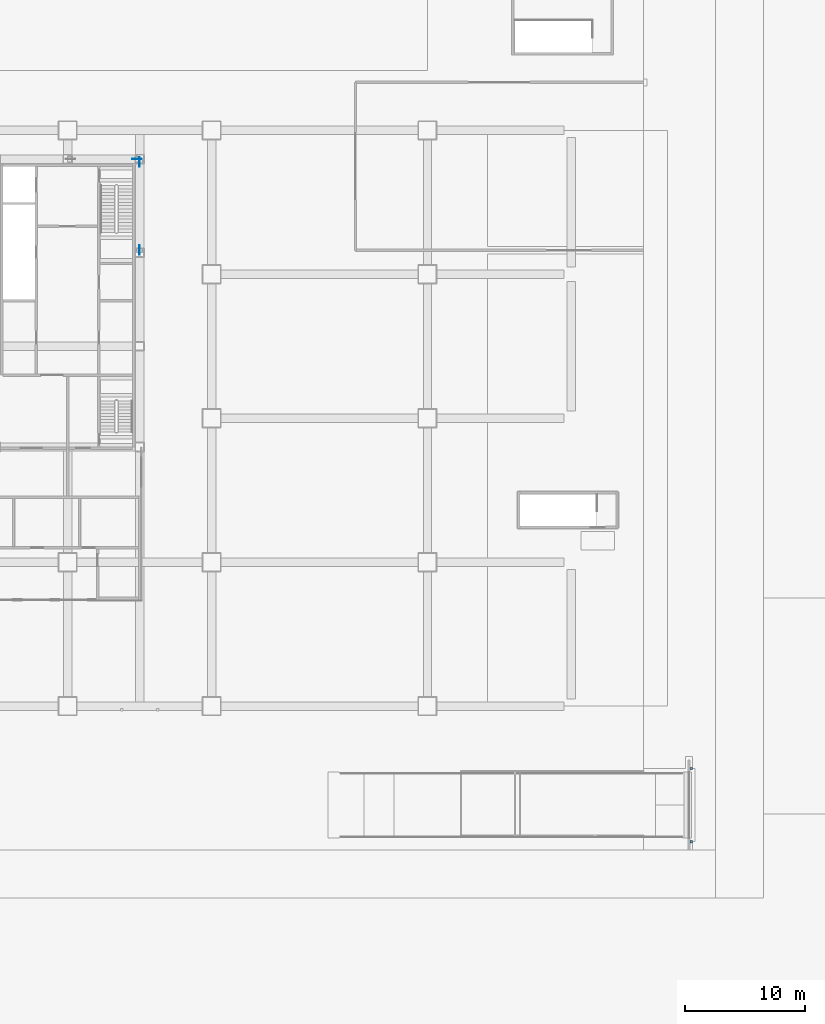
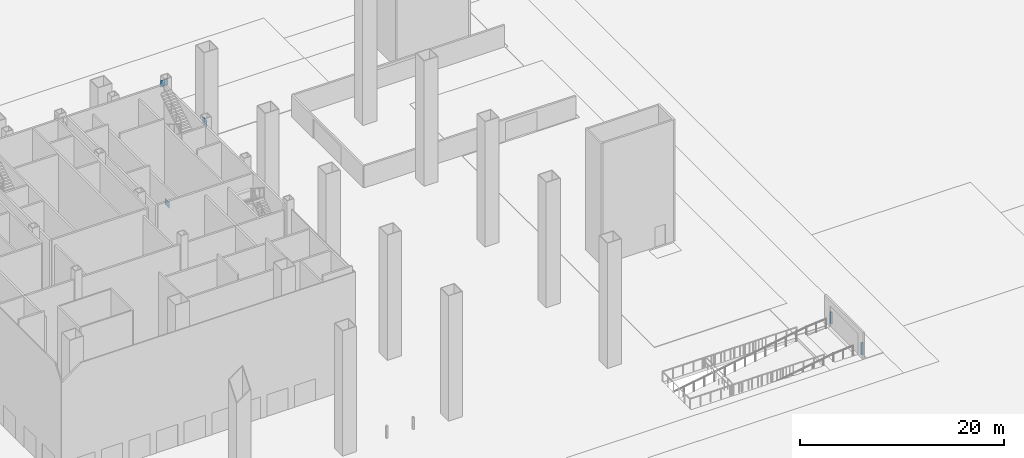
# One storey, part 15 of 22: 5 discrete accessories.
"""IFC4 building model written with IfcOpenShell, lengths in metres."""

import ifcopenshell
import ifcopenshell.guid

model = None  # the IFC model being written
_history = None  # IfcOwnerHistory: only IFC2X3 demands one
_inside = {}  # id of a spatial element -> (the spatial element, [elements in it])
_under = {}  # id of a project, library or spatial element -> (it, [spatial elements below it])
_declared = {}  # id of a project -> (the project, [libraries it declares])
_typed = {}  # id of a type object -> (the type object, [elements of that type])
_made_of = {}  # id of a material, layer set ... -> (it, [elements and type objects made of it])


def new_model(schema):
    """Start an empty IFC model of exactly this schema.

    Asked for "IFC4X3", IfcOpenShell would pick the latest addendum, in which some entities
    have other attributes; the version numbers below select the first issue.
    IFC2X3 requires an IfcOwnerHistory on every rooted entity: one is made here for all.
    """
    global model, _history
    if schema == "IFC4X3":
        model = ifcopenshell.file(schema_version=(4, 3, 0, 0))
    else:
        model = ifcopenshell.file(schema=schema)
    _inside.clear()
    _under.clear()
    _declared.clear()
    _typed.clear()
    _made_of.clear()
    _history = None
    if model.schema == "IFC2X3":
        org = make("IfcOrganization", Name="unknown")
        user = make(
            "IfcPersonAndOrganization",
            ThePerson=make("IfcPerson", FamilyName="unknown"),
            TheOrganization=org,
        )
        app = make(
            "IfcApplication",
            ApplicationDeveloper=org,
            Version="unknown",
            ApplicationFullName="unknown",
            ApplicationIdentifier="unknown",
        )
        _history = make(
            "IfcOwnerHistory",
            OwningUser=user,
            OwningApplication=app,
            ChangeAction="ADDED",
            CreationDate=0,
        )
    return model


def make(cls, **values):
    """One entity of the class cls with the attributes given. An attribute that is None is left unset."""
    return model.create_entity(
        cls, **{name: value for name, value in values.items() if value is not None}
    )


def rooted(cls, **values):
    """An entity with a GlobalId (a new one), such as an element, a storey or a relation."""
    return make(cls, GlobalId=ifcopenshell.guid.new(), OwnerHistory=_history, **values)


def si_unit(unit_type, name, prefix=None):
    """IfcSIUnit, for example si_unit("LENGTHUNIT", "METRE", prefix="MILLI")."""
    return make("IfcSIUnit", UnitType=unit_type, Prefix=prefix, Name=name)


def assignment(units):
    """IfcUnitAssignment: the units of a project."""
    return None if units is None else make("IfcUnitAssignment", Units=units)


def point(xyz):
    """IfcCartesianPoint."""
    return None if xyz is None else make("IfcCartesianPoint", Coordinates=xyz)


def direction(xyz):
    """IfcDirection."""
    return None if xyz is None else make("IfcDirection", DirectionRatios=xyz)


def frame(location, z_axis=None, x_axis=None):
    """IfcAxis2Placement3D, a coordinate frame: its origin and axes. An axis left out is left unset."""
    return make(
        "IfcAxis2Placement3D",
        Location=point(location),
        Axis=direction(z_axis),
        RefDirection=direction(x_axis),
    )


def frame_2d(location, x_axis=None):
    """IfcAxis2Placement2D, a coordinate frame in the plane: its origin and x axis."""
    return make(
        "IfcAxis2Placement2D", Location=point(location), RefDirection=direction(x_axis)
    )


def origin():
    """The frame at (0, 0, 0) with its axes left unset."""
    return frame((0.0, 0.0, 0.0))


def origin_2d():
    """The frame at (0, 0) in the plane with its x axis left unset."""
    return frame_2d((0.0, 0.0))


def place(relative_to, where):
    """IfcLocalPlacement: puts the frame where relative to a parent placement (None: the world)."""
    return make(
        "IfcLocalPlacement", PlacementRelTo=relative_to, RelativePlacement=where
    )


def context(
    kind, dimensions, precision=None, world=None, true_north=None, identifier=None
):
    """IfcGeometricRepresentationContext, for example the 3D "Model" context."""
    return make(
        "IfcGeometricRepresentationContext",
        ContextIdentifier=identifier,
        ContextType=kind,
        CoordinateSpaceDimension=dimensions,
        Precision=precision,
        WorldCoordinateSystem=world,
        TrueNorth=true_north,
    )


def subcontext(parent, identifier, kind, view, scale=None):
    """IfcGeometricRepresentationSubContext, for example "Body" below "Model"."""
    return make(
        "IfcGeometricRepresentationSubContext",
        ContextIdentifier=identifier,
        ContextType=kind,
        ParentContext=parent,
        TargetScale=scale,
        TargetView=view,
    )


def project(units=None, contexts=None):
    """IfcProject with its units and contexts."""
    return rooted(
        "IfcProject",
        Name="project",
        RepresentationContexts=contexts,
        UnitsInContext=assignment(units),
    )


def spatial(cls, under=None, at=None, **own):
    """A site, building, storey or space (cls), placed at a placement, below another one or the project."""
    s = rooted(cls, ObjectPlacement=at, **own)
    if under is not None:
        _under.setdefault(under.id(), (under, []))[1].append(s)
    return s


def profile(cls, at=None, kind="AREA", **sizes):
    """A parametric profile (cls). Its sizes go by their IFC names, for example OverallWidth=200.0."""
    return make(cls, ProfileType=kind, Position=at, **sizes)


def rectangle(**sizes):
    """IfcRectangleProfileDef."""
    return profile("IfcRectangleProfileDef", **sizes)


def extrude(swept, where, along, depth):
    """IfcExtrudedAreaSolid: the profile swept, set in the frame where, extruded along a direction by depth."""
    return make(
        "IfcExtrudedAreaSolid",
        SweptArea=swept,
        Position=where,
        ExtrudedDirection=direction(along),
        Depth=depth,
    )


def shape(context_of_items, identifier, shape_type, items):
    """IfcShapeRepresentation: the items that make up one representation, for example the "Body"."""
    return make(
        "IfcShapeRepresentation",
        ContextOfItems=context_of_items,
        RepresentationIdentifier=identifier,
        RepresentationType=shape_type,
        Items=items,
    )


def material(Name=None, Category=None):
    """IfcMaterial."""
    return make("IfcMaterial", Name=Name, Category=Category)


def layer(
    of_material, thickness, ventilated=None, Name=None, Category=None, Priority=None
):
    """IfcMaterialLayer: one layer of a wall or slab, of a material (None: an air gap)."""
    return make(
        "IfcMaterialLayer",
        Material=of_material,
        LayerThickness=thickness,
        IsVentilated=ventilated,
        Name=Name,
        Category=Category,
        Priority=Priority,
    )


def layer_set(layers, Name=None):
    """IfcMaterialLayerSet."""
    return make("IfcMaterialLayerSet", MaterialLayers=layers, LayerSetName=Name)


def made_of(thing, what):
    """Note that an element or type object is made of a material, layer set ...; save() writes the relation."""
    if what is not None:
        _made_of.setdefault(what.id(), (what, []))[1].append(thing)
    return thing


def type_object(cls, material=None, **own):
    """A type object (cls), such as IfcWallType, which elements share."""
    return made_of(rooted(cls, **own), material)


def element(
    cls,
    number,
    at=None,
    inside=None,
    cuts=None,
    type_object=None,
    material=None,
    context=None,
    identifier="Body",
    shape_type=None,
    held_by="IfcProductDefinitionShape",
    body=None,
    shapes=None,
    **own,
):
    """One element of the class cls, such as IfcWall. Its Tag is "e" and its number.

    at: its placement. inside: the storey or other place that contains it. cuts: it is an
    opening in that element (IfcRelVoidsElement). A single representation is given by context,
    identifier, shape_type and body (its items); several are given by shapes. held_by: the class
    of the entity that holds the representations. save() writes the other relations.
    """
    e = rooted(cls, Tag="e%d" % number, ObjectPlacement=at, **own)
    if body is not None:
        shapes = [shape(context, identifier, shape_type, body)]
    if shapes is not None:
        e.Representation = make(held_by, Representations=shapes)
    if inside is not None:
        _inside.setdefault(inside.id(), (inside, []))[1].append(e)
    if cuts is not None:
        rooted(
            "IfcRelVoidsElement", RelatingBuildingElement=cuts, RelatedOpeningElement=e
        )
    if type_object is not None:
        _typed.setdefault(type_object.id(), (type_object, []))[1].append(e)
    return made_of(e, material)


def aggregate(whole, parts):
    """IfcRelAggregates: a whole, such as a stair, and the parts it consists of."""
    return rooted("IfcRelAggregates", RelatingObject=whole, RelatedObjects=parts)


def save(model, path):
    """Write the relations noted so far, then the file.

    IfcRelAggregates (storeys below a building ...), IfcRelContainedInSpatialStructure (elements
    in a storey), IfcRelDefinesByType, IfcRelAssociatesMaterial and IfcRelDeclares: one each for
    every whole, place, type object, material and project.
    """
    for whole, parts in _under.values():
        aggregate(whole, parts)
    for where, things in _inside.values():
        rooted(
            "IfcRelContainedInSpatialStructure",
            RelatedElements=things,
            RelatingStructure=where,
        )
    for kind, things in _typed.values():
        rooted("IfcRelDefinesByType", RelatedObjects=things, RelatingType=kind)
    for what, things in _made_of.values():
        rooted("IfcRelAssociatesMaterial", RelatedObjects=things, RelatingMaterial=what)
    for by, libraries in _declared.values():
        rooted("IfcRelDeclares", RelatingContext=by, RelatedDefinitions=libraries)
    model.write(path)


model = new_model("IFC4")

# Units and contexts
model_context = context("Model", 3, precision=1e-05, world=origin(), true_north=direction((0.0, 1.0)))
body_context = subcontext(model_context, "Body", "Model", "MODEL_VIEW")
ifc_project = project(units=[si_unit("LENGTHUNIT", "METRE"), si_unit("AREAUNIT", "SQUARE_METRE"), si_unit("VOLUMEUNIT", "CUBIC_METRE"), si_unit("PLANEANGLEUNIT", "RADIAN"), si_unit("MASSUNIT", "GRAM", prefix="KILO")], contexts=[model_context])

# Site, building, storey
site_placement = place(None, origin())
site = spatial("IfcSite", under=ifc_project, at=site_placement, CompositionType="ELEMENT")
building_placement = place(site_placement, origin())
building = spatial("IfcBuilding", under=site, at=building_placement, Name="Sorahane Residences", CompositionType="ELEMENT")
storey_placement = place(building_placement, origin())
storey = spatial("IfcBuildingStorey", under=building, at=storey_placement, Name="L00", CompositionType="ELEMENT", Elevation=0.0)

# Discrete accessories
ifc_material_1 = material(Name="Steel Q355B", Category="steel")
discrete_accessory_type_1 = type_object("IfcDiscreteAccessoryType", Name="Flood barrier post 1500 Steel Q355B", PredefinedType="USERDEFINED", material=ifc_material_1)
for number, where, z_axis, x_axis, name in (
    (1, (88.0, -11.300048828125, 0.06005859375), (0.0, 0.0, 1.0), (1.0, 0.0, 0.0), "Flood barrier post Ramp portal E 1"),
    (2, (88.0, -5.199951171875, 0.06005859375), (0.0, 0.0, 1.0), (1.0, 0.0, 0.0), "Flood barrier post Ramp portal E 2"),
):
    element("IfcDiscreteAccessory", number, at=place(storey_placement, frame(where, z_axis=z_axis, x_axis=x_axis)), inside=storey, type_object=discrete_accessory_type_1, Name=name, ObjectType="Demountable flood barrier post", PredefinedType="USERDEFINED", context=body_context, shape_type="SweptSolid", body=[
        extrude(rectangle(XDim=0.199951171875, YDim=0.199951171875, at=origin_2d()), origin(), (0.0, 0.0, 1.0), 1.43994140625),
    ])
ifc_material_2 = material(Name="Steel Q355B", Category="steel")
ifc_layer = layer(ifc_material_2, 0.02490234375)
ifc_layer_set = layer_set([ifc_layer], Name="Node plate Steel Q355B 25")
discrete_accessory_type_2 = type_object("IfcDiscreteAccessoryType", Name="Node plate Steel Q355B 25", PredefinedType="BRACKET", material=ifc_layer_set)
for number, where, z_axis, x_axis, name in (
    (3, (42.0, 45.36669921875, -0.47412109375), (0.0, 0.0, 1.0), (0.0, 1.0, 0.0), "Node plate L00 br"),
    (4, (42.0, 38.033203125, 13.77392578125), (0.0, 0.0, 1.0), (0.0, 1.0, 0.0), "Node plate L00 br"),
    (5, (41.775146484375, 45.60009765625, 13.908203125), (0.0, 0.0, 1.0), (1.0, 0.0, 0.0), "Node plate L00 br"),
):
    element("IfcDiscreteAccessory", number, at=place(storey_placement, frame(where, z_axis=z_axis, x_axis=x_axis)), inside=storey, type_object=discrete_accessory_type_2, Name=name, PredefinedType="BRACKET", context=body_context, shape_type="SweptSolid", body=[
        extrude(rectangle(XDim=0.800048828125, YDim=0.02490234375, at=origin_2d()), origin(), (0.0, 0.0, 1.0), 0.800048828125),
    ])

save(model, "model.ifc")
